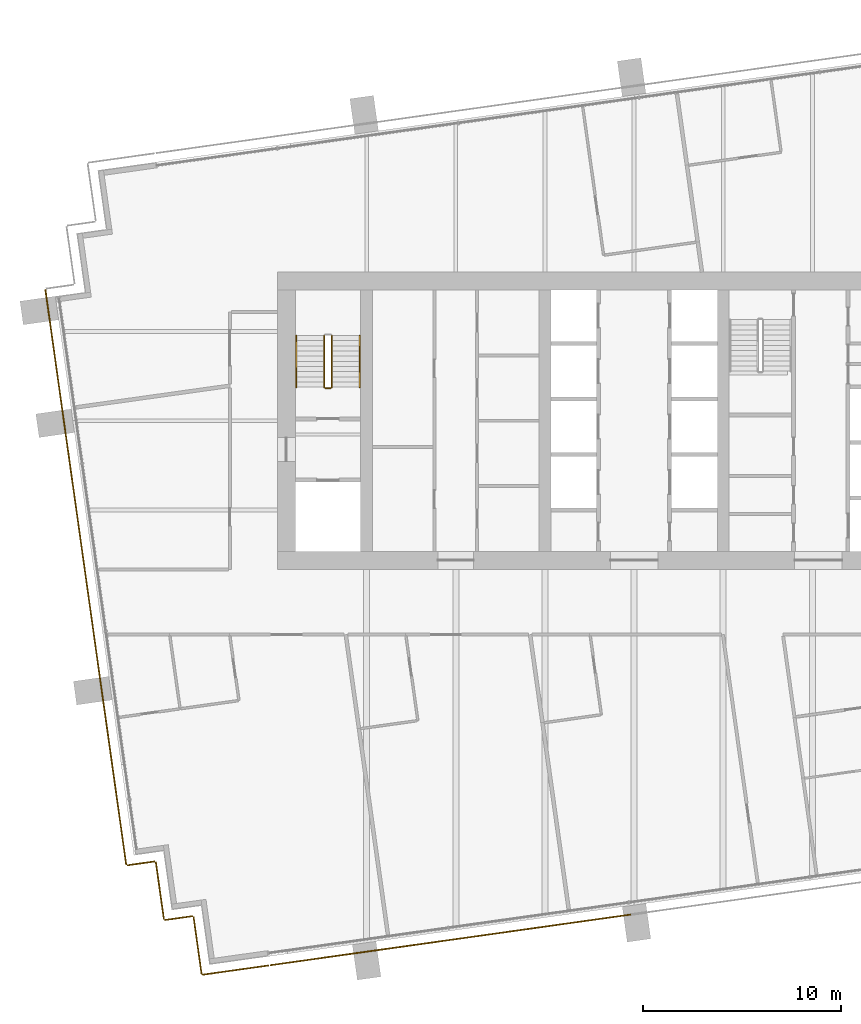
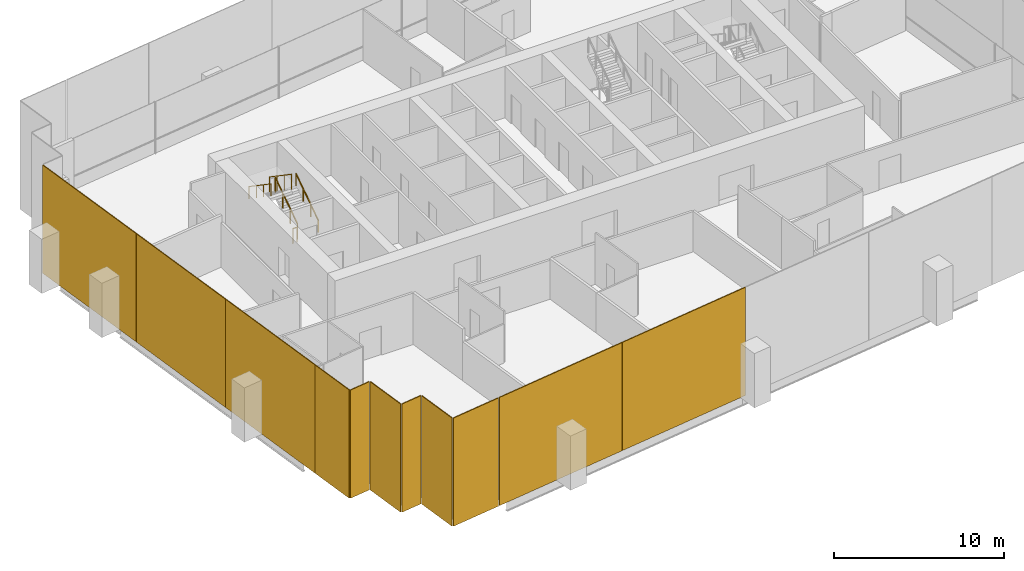
# One storey, part 13 of 17: 11 coverings, 5 railings.
"""IFC4 building model written with IfcOpenShell, lengths in metres."""

from ifc_helpers import new_model, si_unit, direction, frame, origin, origin_2d, place, context, subcontext, project, spatial, rectangle, extrude, material, layer, layer_set, type_object, element, save


model = new_model("IFC4")

# Units and contexts
model_context = context("Model", 3, precision=1e-05, world=origin(), true_north=direction((0.0, 1.0)))
body_context = subcontext(model_context, "Body", "Model", "MODEL_VIEW")
ifc_project = project(units=[si_unit("LENGTHUNIT", "METRE"), si_unit("AREAUNIT", "SQUARE_METRE"), si_unit("VOLUMEUNIT", "CUBIC_METRE"), si_unit("PLANEANGLEUNIT", "RADIAN"), si_unit("MASSUNIT", "GRAM", prefix="KILO")], contexts=[model_context])

# Site, building, storey
site_placement = place(None, origin())
site = spatial("IfcSite", under=ifc_project, at=site_placement, CompositionType="ELEMENT")
building_placement = place(site_placement, origin())
building = spatial("IfcBuilding", under=site, at=building_placement, Name="Rattan Terrace Tower", CompositionType="ELEMENT")
storey_placement = place(building_placement, frame((0.0, 0.0, 191.89990234375)))
storey = spatial("IfcBuildingStorey", under=building, at=storey_placement, Name="L44", CompositionType="ELEMENT", Elevation=191.89990234375)

# Railings
ifc_material_1 = material(Name="Powder-coated steel guard", Category="steel")
railing_type_1 = type_object("IfcRailingType", Name="Core stair guard", PredefinedType="GUARDRAIL", material=ifc_material_1)
railing_1_placement = place(storey_placement, frame((-15.25, 1.699951171875, 0.177490234375)))
element("IfcRailing", 1, at=railing_1_placement, inside=storey, type_object=railing_type_1, Name="L44 S1 stair guard 1", PredefinedType="GUARDRAIL", context=body_context, shape_type="SweptSolid", body=[
    extrude(rectangle(XDim=0.048095703125, YDim=0.048095703125, at=origin_2d()), frame((0.0, 0.0, 1.076171875), z_axis=(0.0, 0.826240473404, 0.563317565952), x_axis=(-1.0, 0.0, 0.0)), (0.0, 0.0, 1.0), 3.14697265625),
    extrude(rectangle(XDim=0.0419921875, YDim=0.0419921875, at=origin_2d()), origin(), (0.0, 0.0, 1.0), 1.052001953125),
    extrude(rectangle(XDim=0.0419921875, YDim=0.0419921875, at=origin_2d()), frame((0.0, 0.86669921875, 0.5908203125)), (0.0, 0.0, 1.0), 1.052001953125),
    extrude(rectangle(XDim=0.0419921875, YDim=0.0419921875, at=origin_2d()), frame((0.0, 1.7333984375, 1.181884765625)), (0.0, 0.0, 1.0), 1.052001953125),
    extrude(rectangle(XDim=0.0419921875, YDim=0.0419921875, at=origin_2d()), frame((0.0, 2.60009765625, 1.772705078125)), (0.0, 0.0, 1.0), 1.052001953125),
])
railing_2_placement = place(storey_placement, frame((-15.64990234375, 4.300048828125, 2.12744140625)))
element("IfcRailing", 2, at=railing_2_placement, inside=storey, type_object=railing_type_1, Name="L44 S1 stair guard 3", PredefinedType="GUARDRAIL", context=body_context, shape_type="SweptSolid", body=[
    extrude(rectangle(XDim=0.048095703125, YDim=0.048095703125, at=origin_2d()), frame((0.0, 0.0, 1.076171875), z_axis=(0.0, -0.826240473404, 0.563317565952), x_axis=(1.0, 0.0, 0.0)), (0.0, 0.0, 1.0), 3.14697265625),
    extrude(rectangle(XDim=0.0419921875, YDim=0.0419921875, at=origin_2d()), origin(), (0.0, 0.0, 1.0), 1.052001953125),
    extrude(rectangle(XDim=0.0419921875, YDim=0.0419921875, at=origin_2d()), frame((0.0, -0.86669921875, 0.5908203125)), (0.0, 0.0, 1.0), 1.052001953125),
    extrude(rectangle(XDim=0.0419921875, YDim=0.0419921875, at=origin_2d()), frame((0.0, -1.7333984375, 1.181884765625)), (0.0, 0.0, 1.0), 1.052001953125),
    extrude(rectangle(XDim=0.0419921875, YDim=0.0419921875, at=origin_2d()), frame((0.0, -2.60009765625, 1.772705078125)), (0.0, 0.0, 1.0), 1.052001953125),
])
railing_3_placement = place(storey_placement, frame((-15.300048828125, 1.64990234375, 0.0)))
element("IfcRailing", 3, at=railing_3_placement, inside=storey, type_object=railing_type_1, Name="L44 S1 stair guard 4", PredefinedType="GUARDRAIL", context=body_context, shape_type="SweptSolid", body=[
    extrude(rectangle(XDim=0.048095703125, YDim=0.048095703125, at=origin_2d()), frame((0.0, 0.0, 1.076171875), z_axis=(-1.0, 0.0, 0.0), x_axis=(0.0, -1.0, 0.0)), (0.0, 0.0, 1.0), 0.300048828125),
    extrude(rectangle(XDim=0.0419921875, YDim=0.0419921875, at=origin_2d()), origin(), (0.0, 0.0, 1.0), 1.052001953125),
    extrude(rectangle(XDim=0.0419921875, YDim=0.0419921875, at=origin_2d()), frame((-0.300048828125, 0.0, 0.0)), (0.0, 0.0, 1.0), 1.052001953125),
])
ifc_material_2 = material(Name="Powder-coated steel handrail", Category="steel")
railing_type_2 = type_object("IfcRailingType", Name="Core stair handrail", PredefinedType="HANDRAIL", material=ifc_material_2)
railing_4_placement = place(storey_placement, frame((-13.85009765625, 1.699951171875, 0.177490234375)))
element("IfcRailing", 4, at=railing_4_placement, inside=storey, type_object=railing_type_2, Name="L44 S1 stair handrail 1", PredefinedType="HANDRAIL", context=body_context, shape_type="SweptSolid", body=[
    extrude(rectangle(XDim=0.048095703125, YDim=0.048095703125, at=origin_2d()), frame((0.0, 0.0, 0.8759765625), z_axis=(0.0, 0.826240473404, 0.563317565952), x_axis=(-1.0, 0.0, 0.0)), (0.0, 0.0, 1.0), 3.14697265625),
    extrude(rectangle(XDim=0.0419921875, YDim=0.0419921875, at=origin_2d()), origin(), (0.0, 0.0, 1.0), 0.851806640625),
    extrude(rectangle(XDim=0.0419921875, YDim=0.0419921875, at=origin_2d()), frame((0.0, 0.86669921875, 0.5908203125)), (0.0, 0.0, 1.0), 0.851806640625),
    extrude(rectangle(XDim=0.0419921875, YDim=0.0419921875, at=origin_2d()), frame((0.0, 1.7333984375, 1.181884765625)), (0.0, 0.0, 1.0), 0.851806640625),
    extrude(rectangle(XDim=0.0419921875, YDim=0.0419921875, at=origin_2d()), frame((0.0, 2.60009765625, 1.772705078125)), (0.0, 0.0, 1.0), 0.851806640625),
])
railing_5_placement = place(storey_placement, frame((-17.050048828125, 4.300048828125, 2.12744140625)))
element("IfcRailing", 5, at=railing_5_placement, inside=storey, type_object=railing_type_2, Name="L44 S1 stair handrail 2", PredefinedType="HANDRAIL", context=body_context, shape_type="SweptSolid", body=[
    extrude(rectangle(XDim=0.048095703125, YDim=0.048095703125, at=origin_2d()), frame((0.0, 0.0, 0.8759765625), z_axis=(0.0, -0.826240473404, 0.563317565952), x_axis=(1.0, 0.0, 0.0)), (0.0, 0.0, 1.0), 3.14697265625),
    extrude(rectangle(XDim=0.0419921875, YDim=0.0419921875, at=origin_2d()), origin(), (0.0, 0.0, 1.0), 0.851806640625),
    extrude(rectangle(XDim=0.0419921875, YDim=0.0419921875, at=origin_2d()), frame((0.0, -0.86669921875, 0.5908203125)), (0.0, 0.0, 1.0), 0.851806640625),
    extrude(rectangle(XDim=0.0419921875, YDim=0.0419921875, at=origin_2d()), frame((0.0, -1.7333984375, 1.181884765625)), (0.0, 0.0, 1.0), 0.851806640625),
    extrude(rectangle(XDim=0.0419921875, YDim=0.0419921875, at=origin_2d()), frame((0.0, -2.60009765625, 1.772705078125)), (0.0, 0.0, 1.0), 0.851806640625),
])

# Coverings
ifc_material_3 = material(Name="Perforated terracotta", Category="masonry")
ifc_layer = layer(ifc_material_3, 0.06005859375)
ifc_layer_set = layer_set([ifc_layer], Name="Facade Terracotta Screen Panel")
covering_type = type_object("IfcCoveringType", Name="Facade Terracotta Screen Panel", PredefinedType="CLADDING", material=ifc_layer_set)
covering_1_placement = place(storey_placement, frame((-29.095703125, 2.19580078125, -0.18994140625), z_axis=(0.0, 0.0, 1.0), x_axis=(0.139190856006, -0.99026557327, 0.0)))
element("IfcCovering", 6, at=covering_1_placement, inside=storey, type_object=covering_type, Name="OUTER SKIN panel L44-25", PredefinedType="CLADDING", context=body_context, shape_type="SweptSolid", body=[
    extrude(rectangle(XDim=8.949951171875, YDim=0.06005859375, at=origin_2d()), origin(), (0.0, 0.0, 1.0), 7.780029296875),
])
for number, where, z_axis, x_axis, name in (
    (7, (-27.87646484375, -6.478759765625, -0.18994140625), (0.0, 0.0, 1.0), (0.139190856006, -0.99026557327, 0.0), "OUTER SKIN panel L44-26"),
    (8, (-26.6865234375, -14.945556640625, -0.18994140625), (0.0, 0.0, 1.0), (0.139190856006, -0.99026557327, 0.0), "OUTER SKIN panel L44-27"),
):
    element("IfcCovering", number, at=place(storey_placement, frame(where, z_axis=z_axis, x_axis=x_axis)), inside=storey, type_object=covering_type, Name=name, PredefinedType="CLADDING", context=body_context, shape_type="SweptSolid", body=[
        extrude(rectangle(XDim=8.530029296875, YDim=0.06005859375, at=origin_2d()), origin(), (0.0, 0.0, 1.0), 7.780029296875),
    ])
covering_2_placement = place(storey_placement, frame((-25.86376953125, -20.79833984375, -0.18994140625), z_axis=(0.0, 0.0, 1.0), x_axis=(0.139190856006, -0.99026557327, 0.0)))
element("IfcCovering", 9, at=covering_2_placement, inside=storey, type_object=covering_type, Name="OUTER SKIN panel L44-28", PredefinedType="CLADDING", context=body_context, shape_type="SweptSolid", body=[
    extrude(rectangle(XDim=3.25048828125, YDim=0.06005859375, at=origin_2d()), origin(), (0.0, 0.0, 1.0), 7.780029296875),
])
covering_3_placement = place(storey_placement, frame((-24.889404296875, -22.3427734375, -0.18994140625), z_axis=(0.0, 0.0, 1.0), x_axis=(0.990240767803, 0.139367219175, 0.0)))
element("IfcCovering", 10, at=covering_3_placement, inside=storey, type_object=covering_type, Name="OUTER SKIN panel L44-29", PredefinedType="CLADDING", context=body_context, shape_type="SweptSolid", body=[
    extrude(rectangle(XDim=1.419677734375, YDim=0.06005859375, at=origin_2d()), origin(), (0.0, 0.0, 1.0), 7.780029296875),
])
covering_4_placement = place(storey_placement, frame((-23.93798828125, -23.723876953125, -0.18994140625), z_axis=(0.0, 0.0, 1.0), x_axis=(0.139321220646, -0.990247240581, 0.0)))
element("IfcCovering", 11, at=covering_4_placement, inside=storey, type_object=covering_type, Name="OUTER SKIN panel L44-30", PredefinedType="CLADDING", context=body_context, shape_type="SweptSolid", body=[
    extrude(rectangle(XDim=2.920166015625, YDim=0.06005859375, at=origin_2d()), origin(), (0.0, 0.0, 1.0), 7.780029296875),
])
covering_5_placement = place(storey_placement, frame((-22.986328125, -25.104736328125, -0.18994140625), z_axis=(0.0, 0.0, 1.0), x_axis=(0.990240767803, 0.139367219175, 0.0)))
element("IfcCovering", 12, at=covering_5_placement, inside=storey, type_object=covering_type, Name="OUTER SKIN panel L44-31", PredefinedType="CLADDING", context=body_context, shape_type="SweptSolid", body=[
    extrude(rectangle(XDim=1.419677734375, YDim=0.06005859375, at=origin_2d()), origin(), (0.0, 0.0, 1.0), 7.780029296875),
])
covering_6_placement = place(storey_placement, frame((-22.034912109375, -26.48583984375, -0.18994140625), z_axis=(0.0, 0.0, 1.0), x_axis=(0.139321220646, -0.990247240581, 0.0)))
element("IfcCovering", 13, at=covering_6_placement, inside=storey, type_object=covering_type, Name="OUTER SKIN panel L44-32", PredefinedType="CLADDING", context=body_context, shape_type="SweptSolid", body=[
    extrude(rectangle(XDim=2.920166015625, YDim=0.06005859375, at=origin_2d()), origin(), (0.0, 0.0, 1.0), 7.780029296875),
])
covering_7_placement = place(storey_placement, frame((-20.1181640625, -27.73095703125, -0.18994140625), z_axis=(0.0, 0.0, 1.0), x_axis=(0.990240767803, 0.139367219175, 0.0)))
element("IfcCovering", 14, at=covering_7_placement, inside=storey, type_object=covering_type, Name="OUTER SKIN panel L44-33", PredefinedType="CLADDING", context=body_context, shape_type="SweptSolid", body=[
    extrude(rectangle(XDim=3.369140625, YDim=0.06005859375, at=origin_2d()), origin(), (0.0, 0.0, 1.0), 7.780029296875),
])
covering_8_placement = place(storey_placement, frame((-13.833740234375, -26.847412109375, -0.18994140625), z_axis=(0.0, 0.0, 1.0), x_axis=(0.990269702686, 0.139161474347, 0.0)))
element("IfcCovering", 15, at=covering_8_placement, inside=storey, type_object=covering_type, Name="OUTER SKIN panel L44-34", PredefinedType="CLADDING", context=body_context, shape_type="SweptSolid", body=[
    extrude(rectangle(XDim=9.162841796875, YDim=0.06005859375, at=origin_2d()), origin(), (0.0, 0.0, 1.0), 7.780029296875),
])
covering_9_placement = place(storey_placement, frame((-4.725341796875, -25.5673828125, -0.18994140625), z_axis=(0.0, 0.0, 1.0), x_axis=(0.990269702686, 0.139161474347, 0.0)))
element("IfcCovering", 16, at=covering_9_placement, inside=storey, type_object=covering_type, Name="OUTER SKIN panel L44-35", PredefinedType="CLADDING", context=body_context, shape_type="SweptSolid", body=[
    extrude(rectangle(XDim=9.193115234375, YDim=0.06005859375, at=origin_2d()), origin(), (0.0, 0.0, 1.0), 7.780029296875),
])

save(model, "model.ifc")
